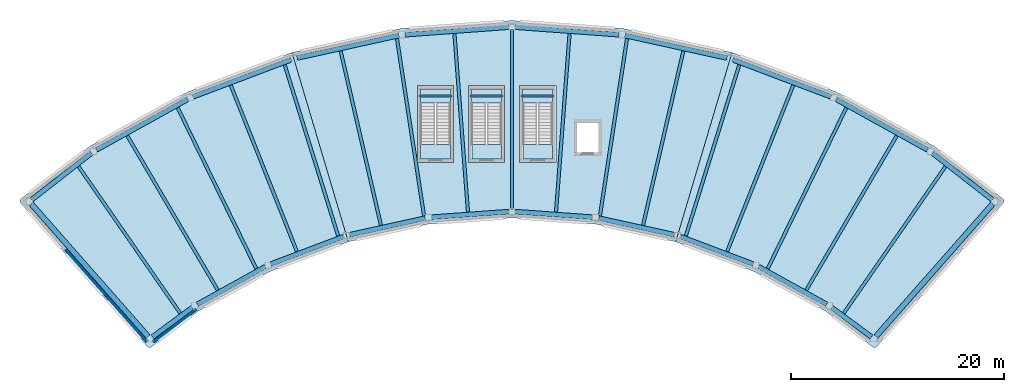
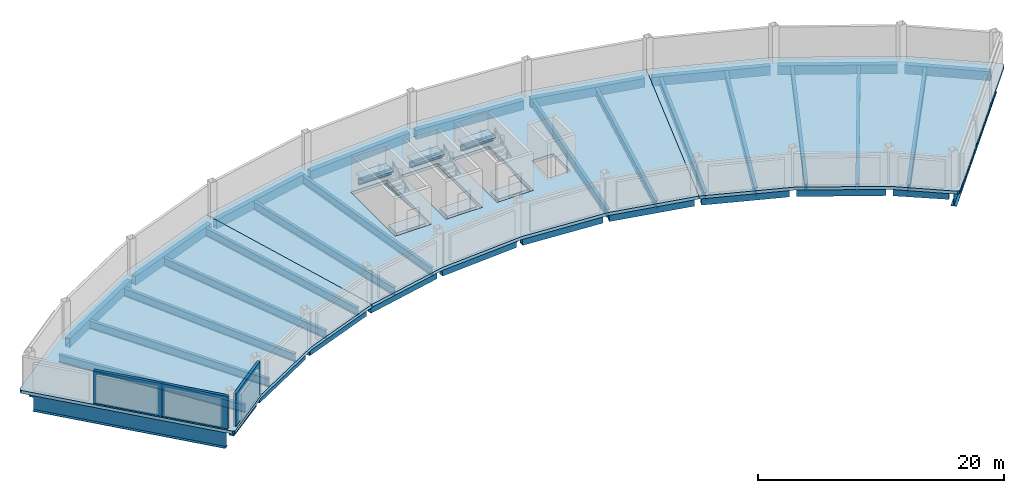
# One storey, part 3 of 5: 42 beams, 9 slabs, 3 walls, 3 elements without a shape of their own.
"""IFC4 building model written with IfcOpenShell, lengths in metres."""

from ifc_helpers import new_model, si_unit, direction, frame, frame_2d, origin, origin_2d, place, context, subcontext, project, spatial, polyline, rectangle, hollow_rectangle, i_section, outline, extrude, material, layer, layer_set, material_profile, profile_set, type_object, element, aggregate, save


model = new_model("IFC4")

# Units and contexts
model_context = context("Model", 3, precision=1e-05, world=origin(), true_north=direction((0.0, 1.0)))
body_context = subcontext(model_context, "Body", "Model", "MODEL_VIEW")
ifc_project = project(units=[si_unit("LENGTHUNIT", "METRE"), si_unit("AREAUNIT", "SQUARE_METRE"), si_unit("VOLUMEUNIT", "CUBIC_METRE"), si_unit("PLANEANGLEUNIT", "RADIAN"), si_unit("MASSUNIT", "GRAM", prefix="KILO")], contexts=[model_context])

# Site, building, storey
site_placement = place(None, origin())
site = spatial("IfcSite", under=ifc_project, at=site_placement, CompositionType="ELEMENT")
building_placement = place(site_placement, origin())
building = spatial("IfcBuilding", under=site, at=building_placement, Name="Tuul Gate Civic Tower", CompositionType="ELEMENT")
storey_placement = place(building_placement, frame((0.0, 0.0, 364.10009765625)))
storey = spatial("IfcBuildingStorey", under=building, at=storey_placement, Name="Crown tier 1 upper", CompositionType="ELEMENT", Elevation=364.10009765625)

# Beams
ifc_material_1 = material(Name="Steel S355", Category="steel")
ifc_material_profile_1 = material_profile(ifc_material_1, i_section(OverallWidth=0.199951171875, OverallDepth=0.5, WebThickness=0.010009765625, FlangeThickness=0.01611328125, at=origin_2d()), Name="PG500x200x10x16")
ifc_profile_set_1 = profile_set([ifc_material_profile_1], Name="Steel S355")
beam_type_1 = type_object("IfcBeamType", Name="STR-FLOOR BEAM-PG500x200x10x16", PredefinedType="BEAM", material=ifc_profile_set_1)
for number, where, z_axis, x_axis, name in (
    (1, (-6.550048828125, 5.324951171875, 1.5498046875), (1.0, 0.0, 0.0), (0.0, 1.0, 0.0), "Landing support beam"),
    (2, (-1.75, 5.324951171875, 1.5498046875), (1.0, 0.0, 0.0), (0.0, 1.0, 0.0), "Landing support beam"),
):
    element("IfcBeam", number, at=place(storey_placement, frame(where, z_axis=z_axis, x_axis=x_axis)), inside=storey, type_object=beam_type_1, Name=name, PredefinedType="BEAM", context=body_context, shape_type="SweptSolid", body=[
        extrude(i_section(OverallWidth=0.199951171875, OverallDepth=0.5, WebThickness=0.010009765625, FlangeThickness=0.01611328125, at=origin_2d()), origin(), (0.0, 0.0, 1.0), 3.10009765625),
    ])
beam_1_placement = place(storey_placement, frame((3.050048828125, 5.324951171875, 1.5498046875), z_axis=(1.0, 0.0, 0.0), x_axis=(0.0, 1.0, 0.0)))
element("IfcBeam", 3, at=beam_1_placement, inside=storey, type_object=beam_type_1, Name="Landing support beam", PredefinedType="BEAM", context=body_context, shape_type="SweptSolid", body=[
    extrude(i_section(OverallWidth=0.199951171875, OverallDepth=0.5, WebThickness=0.010009765625, FlangeThickness=0.01611328125, at=origin_2d()), origin(), (0.0, 0.0, 1.0), 3.099853515625),
])
ifc_material_2 = material(Name="Steel S355", Category="steel")
ifc_material_profile_2 = material_profile(ifc_material_2, i_section(OverallWidth=0.300048828125, OverallDepth=0.800048828125, WebThickness=0.013916015625, FlangeThickness=0.02490234375, at=origin_2d()), Name="PG800x300x14x25")
ifc_profile_set_2 = profile_set([ifc_material_profile_2], Name="Steel S355")
beam_type_2 = type_object("IfcBeamType", Name="STR-FLOOR BEAM-PG800x300x14x25", PredefinedType="BEAM", material=ifc_profile_set_2)
beam_2_placement = place(storey_placement, frame((33.369384765625, -15.084716796875, -0.7001953125), z_axis=(0.569618744549, 0.821909049627, 0.0), x_axis=(-0.821909049627, 0.569618744549, 0.0)))
element("IfcBeam", 4, at=beam_2_placement, inside=storey, type_object=beam_type_2, Name="Floor beam", PredefinedType="BEAM", context=body_context, shape_type="SweptSolid", body=[
    extrude(i_section(OverallWidth=0.300048828125, OverallDepth=0.800048828125, WebThickness=0.013916015625, FlangeThickness=0.02490234375, at=origin_2d()), origin(), (0.0, 0.0, 1.0), 16.768310546875),
])
beam_3_placement = place(storey_placement, frame((29.843994140625, -12.90771484375, -0.7001953125), z_axis=(0.505775799245, 0.862664964455, 0.0), x_axis=(-0.862664964455, 0.505775799245, 0.0)))
element("IfcBeam", 5, at=beam_3_placement, inside=storey, type_object=beam_type_2, Name="Floor beam", PredefinedType="BEAM", context=body_context, shape_type="SweptSolid", body=[
    extrude(i_section(OverallWidth=0.300048828125, OverallDepth=0.800048828125, WebThickness=0.013916015625, FlangeThickness=0.02490234375, at=origin_2d()), origin(), (0.0, 0.0, 1.0), 16.804443359375),
])
beam_4_placement = place(storey_placement, frame((26.22021484375, -10.89892578125, -0.7001953125), z_axis=(0.439038586046, 0.898468207542, 0.0), x_axis=(-0.898468207542, 0.439038586046, 0.0)))
element("IfcBeam", 6, at=beam_4_placement, inside=storey, type_object=beam_type_2, Name="Floor beam", PredefinedType="BEAM", context=body_context, shape_type="SweptSolid", body=[
    extrude(i_section(OverallWidth=0.300048828125, OverallDepth=0.800048828125, WebThickness=0.013916015625, FlangeThickness=0.02490234375, at=origin_2d()), origin(), (0.0, 0.0, 1.0), 16.822021484375),
])
beam_5_placement = place(storey_placement, frame((22.40576171875, -9.281494140625, -0.7001953125), z_axis=(0.369789252977, 0.929115659314, 0.0), x_axis=(-0.929115659314, 0.369789252977, 0.0)))
element("IfcBeam", 7, at=beam_5_placement, inside=storey, type_object=beam_type_2, Name="Floor beam", PredefinedType="BEAM", context=body_context, shape_type="SweptSolid", body=[
    extrude(i_section(OverallWidth=0.300048828125, OverallDepth=0.800048828125, WebThickness=0.013916015625, FlangeThickness=0.02490234375, at=origin_2d()), origin(), (0.0, 0.0, 1.0), 16.8017578125),
])
beam_6_placement = place(storey_placement, frame((18.529541015625, -7.815673828125, -0.7001953125), z_axis=(0.298410464889, 0.954437632559, 0.0), x_axis=(-0.954437632559, 0.298410464889, 0.0)))
element("IfcBeam", 8, at=beam_6_placement, inside=storey, type_object=beam_type_2, Name="Floor beam", PredefinedType="BEAM", context=body_context, shape_type="SweptSolid", body=[
    extrude(i_section(OverallWidth=0.300048828125, OverallDepth=0.800048828125, WebThickness=0.013916015625, FlangeThickness=0.02490234375, at=origin_2d()), origin(), (0.0, 0.0, 1.0), 16.828369140625),
])
beam_7_placement = place(storey_placement, frame((14.50732421875, -6.817626953125, -0.7001953125), z_axis=(0.22531584645, 0.974285773959, 0.0), x_axis=(-0.974285773959, 0.22531584645, 0.0)))
element("IfcBeam", 9, at=beam_7_placement, inside=storey, type_object=beam_type_2, Name="Floor beam", PredefinedType="BEAM", context=body_context, shape_type="SweptSolid", body=[
    extrude(i_section(OverallWidth=0.300048828125, OverallDepth=0.800048828125, WebThickness=0.013916015625, FlangeThickness=0.02490234375, at=origin_2d()), origin(), (0.0, 0.0, 1.0), 16.800537109375),
])
beam_8_placement = place(storey_placement, frame((10.458984375, -5.925537109375, -0.7001953125), z_axis=(0.150930336798, 0.988544401347, 0.0), x_axis=(-0.988544401347, 0.150930336798, 0.0)))
element("IfcBeam", 10, at=beam_8_placement, inside=storey, type_object=beam_type_2, Name="Floor beam", PredefinedType="BEAM", context=body_context, shape_type="SweptSolid", body=[
    extrude(i_section(OverallWidth=0.300048828125, OverallDepth=0.800048828125, WebThickness=0.013916015625, FlangeThickness=0.02490234375, at=origin_2d()), origin(), (0.0, 0.0, 1.0), 16.835693359375),
])
beam_9_placement = place(storey_placement, frame((6.32861328125, -5.57177734375, -0.7001953125), z_axis=(0.075669623835, 0.997132944009, 0.0), x_axis=(-0.997132944009, 0.075669623835, 0.0)))
element("IfcBeam", 11, at=beam_9_placement, inside=storey, type_object=beam_type_2, Name="Floor beam", PredefinedType="BEAM", context=body_context, shape_type="SweptSolid", body=[
    extrude(i_section(OverallWidth=0.300048828125, OverallDepth=0.800048828125, WebThickness=0.013916015625, FlangeThickness=0.02490234375, at=origin_2d()), origin(), (0.0, 0.0, 1.0), 16.7998046875),
])
beam_10_placement = place(storey_placement, frame((2.19189453125, -5.2724609375, -0.7001953125), z_axis=(0.0, 1.0, 0.0), x_axis=(-1.0, 0.0, 0.0)))
element("IfcBeam", 12, at=beam_10_placement, inside=storey, type_object=beam_type_2, Name="Floor beam", PredefinedType="BEAM", context=body_context, shape_type="SweptSolid", body=[
    extrude(i_section(OverallWidth=0.300048828125, OverallDepth=0.800048828125, WebThickness=0.013916015625, FlangeThickness=0.02490234375, at=origin_2d()), origin(), (0.0, 0.0, 1.0), 16.84375),
])
beam_11_placement = place(storey_placement, frame((-1.944580078125, -5.57177734375, -0.7001953125), z_axis=(-0.075684072889, 0.997131847406, 0.0), x_axis=(-0.997131847406, -0.075684072889, 0.0)))
element("IfcBeam", 13, at=beam_11_placement, inside=storey, type_object=beam_type_2, Name="Floor beam", PredefinedType="BEAM", context=body_context, shape_type="SweptSolid", body=[
    extrude(i_section(OverallWidth=0.300048828125, OverallDepth=0.800048828125, WebThickness=0.013916015625, FlangeThickness=0.02490234375, at=origin_2d()), origin(), (0.0, 0.0, 1.0), 16.7998046875),
])
beam_12_placement = place(storey_placement, frame((-6.074951171875, -5.925537109375, -0.7001953125), z_axis=(-0.150930336798, 0.988544401347, 0.0), x_axis=(-0.988544401347, -0.150930336798, 0.0)))
element("IfcBeam", 14, at=beam_12_placement, inside=storey, type_object=beam_type_2, Name="Floor beam", PredefinedType="BEAM", context=body_context, shape_type="SweptSolid", body=[
    extrude(i_section(OverallWidth=0.300048828125, OverallDepth=0.800048828125, WebThickness=0.013916015625, FlangeThickness=0.02490234375, at=origin_2d()), origin(), (0.0, 0.0, 1.0), 16.835693359375),
])
beam_13_placement = place(storey_placement, frame((-10.12353515625, -6.817626953125, -0.7001953125), z_axis=(-0.225302052304, 0.974288963926, 0.0), x_axis=(-0.974288963926, -0.225302052304, 0.0)))
element("IfcBeam", 15, at=beam_13_placement, inside=storey, type_object=beam_type_2, Name="Floor beam", PredefinedType="BEAM", context=body_context, shape_type="SweptSolid", body=[
    extrude(i_section(OverallWidth=0.300048828125, OverallDepth=0.800048828125, WebThickness=0.013916015625, FlangeThickness=0.02490234375, at=origin_2d()), origin(), (0.0, 0.0, 1.0), 16.80029296875),
])
beam_14_placement = place(storey_placement, frame((-14.1455078125, -7.815673828125, -0.7001953125), z_axis=(-0.298410464889, 0.954437632559, 0.0), x_axis=(-0.954437632559, -0.298410464889, 0.0)))
element("IfcBeam", 16, at=beam_14_placement, inside=storey, type_object=beam_type_2, Name="Floor beam", PredefinedType="BEAM", context=body_context, shape_type="SweptSolid", body=[
    extrude(i_section(OverallWidth=0.300048828125, OverallDepth=0.800048828125, WebThickness=0.013916015625, FlangeThickness=0.02490234375, at=origin_2d()), origin(), (0.0, 0.0, 1.0), 16.828369140625),
])
beam_15_placement = place(storey_placement, frame((-18.02197265625, -9.281494140625, -0.7001953125), z_axis=(-0.36977670925, 0.929120651636, 0.0), x_axis=(-0.929120651636, -0.36977670925, 0.0)))
element("IfcBeam", 17, at=beam_15_placement, inside=storey, type_object=beam_type_2, Name="Floor beam", PredefinedType="BEAM", context=body_context, shape_type="SweptSolid", body=[
    extrude(i_section(OverallWidth=0.300048828125, OverallDepth=0.800048828125, WebThickness=0.013916015625, FlangeThickness=0.02490234375, at=origin_2d()), origin(), (0.0, 0.0, 1.0), 16.8017578125),
])
beam_16_placement = place(storey_placement, frame((-21.836181640625, -10.89892578125, -0.7001953125), z_axis=(-0.439038586046, 0.898468207542, 0.0), x_axis=(-0.898468207542, -0.439038586046, 0.0)))
element("IfcBeam", 18, at=beam_16_placement, inside=storey, type_object=beam_type_2, Name="Floor beam", PredefinedType="BEAM", context=body_context, shape_type="SweptSolid", body=[
    extrude(i_section(OverallWidth=0.300048828125, OverallDepth=0.800048828125, WebThickness=0.013916015625, FlangeThickness=0.02490234375, at=origin_2d()), origin(), (0.0, 0.0, 1.0), 16.822021484375),
])
beam_17_placement = place(storey_placement, frame((-25.4599609375, -12.90771484375, -0.7001953125), z_axis=(-0.505775799245, 0.862664964455, 0.0), x_axis=(-0.862664964455, -0.505775799245, 0.0)))
element("IfcBeam", 19, at=beam_17_placement, inside=storey, type_object=beam_type_2, Name="Floor beam", PredefinedType="BEAM", context=body_context, shape_type="SweptSolid", body=[
    extrude(i_section(OverallWidth=0.300048828125, OverallDepth=0.800048828125, WebThickness=0.013916015625, FlangeThickness=0.02490234375, at=origin_2d()), origin(), (0.0, 0.0, 1.0), 16.804443359375),
])
beam_18_placement = place(storey_placement, frame((-28.9853515625, -15.084716796875, -0.7001953125), z_axis=(-0.569618744549, 0.821909049627, 0.0), x_axis=(-0.821909049627, -0.569618744549, 0.0)))
element("IfcBeam", 20, at=beam_18_placement, inside=storey, type_object=beam_type_2, Name="Floor beam", PredefinedType="BEAM", context=body_context, shape_type="SweptSolid", body=[
    extrude(i_section(OverallWidth=0.300048828125, OverallDepth=0.800048828125, WebThickness=0.013916015625, FlangeThickness=0.02490234375, at=origin_2d()), origin(), (0.0, 0.0, 1.0), 16.768310546875),
])
ifc_material_3 = material(Name="Steel S355", Category="steel")
ifc_material_profile_3 = material_profile(ifc_material_3, i_section(OverallWidth=0.5, OverallDepth=1.89990234375, WebThickness=0.02490234375, FlangeThickness=0.0400390625, at=origin_2d()), Name="PG1900x500x25x40")
ifc_profile_set_3 = profile_set([ifc_material_profile_3], Name="Steel S355")
beam_type_3 = type_object("IfcBeamType", Name="STR-RING BEAM-PG1900x500x25x40", PredefinedType="BEAM", material=ifc_profile_set_3)
beam_19_placement = place(storey_placement, frame((-42.966796875, -4.826171875, -1.25), z_axis=(0.661021455779, -0.750367000207, 0.0), x_axis=(0.750367000207, 0.661021455779, 0.0)))
element("IfcBeam", 21, at=beam_19_placement, inside=storey, type_object=beam_type_3, Name="Spandrel beam", PredefinedType="BEAM", context=body_context, shape_type="SweptSolid", body=[
    extrude(i_section(OverallWidth=0.5, OverallDepth=1.89990234375, WebThickness=0.02490234375, FlangeThickness=0.0400390625, at=origin_2d()), origin(), (0.0, 0.0, 1.0), 16.5673828125),
])
beam_20_placement = place(storey_placement, frame((36.3994140625, -17.2578125, -1.25), z_axis=(0.661013158435, 0.750374309512, 0.0), x_axis=(-0.750374309512, 0.661013158435, 0.0)))
element("IfcBeam", 22, at=beam_20_placement, inside=storey, type_object=beam_type_3, Name="Spandrel beam", PredefinedType="BEAM", context=body_context, shape_type="SweptSolid", body=[
    extrude(i_section(OverallWidth=0.5, OverallDepth=1.89990234375, WebThickness=0.02490234375, FlangeThickness=0.0400390625, at=origin_2d()), origin(), (0.0, 0.0, 1.0), 16.567138671875),
])
ifc_material_4 = material(Name="Steel S355", Category="steel")
ifc_material_profile_4 = material_profile(ifc_material_4, hollow_rectangle(XDim=0.449951171875, YDim=0.89990234375, WallThickness=0.02490234375, at=origin_2d()), Name="BOX900x450x25")
ifc_profile_set_4 = profile_set([ifc_material_profile_4], Name="Steel S355")
beam_type_4 = type_object("IfcBeamType", Name="STR-SPANDREL BEAM-BOX900x450x25", PredefinedType="BEAM", material=ifc_profile_set_4)
beam_21_placement = place(storey_placement, frame((47.3125, -4.416259765625, -0.75), z_axis=(-0.788041106287, 0.615622623692, 0.0), x_axis=(-0.615622623692, -0.788041106287, 0.0)))
element("IfcBeam", 23, at=beam_21_placement, inside=storey, type_object=beam_type_4, Name="Spandrel beam", PredefinedType="BEAM", context=body_context, shape_type="SweptSolid", body=[
    extrude(hollow_rectangle(XDim=0.449951171875, YDim=0.89990234375, WallThickness=0.02490234375, at=origin_2d()), origin(), (0.0, 0.0, 1.0), 7.078369140625),
])
for number, where, z_axis, x_axis, name in (
    (24, (41.235595703125, 0.271484375, -0.75), (-0.874616938839, 0.484814614359, 0.0), (-0.484814614359, -0.874616938839, 0.0), "Spandrel beam"),
    (25, (32.13232421875, 5.26806640625, -0.75), (-0.935355859844, 0.353708093567, 0.0), (-0.353708093567, -0.935355859844, 0.0), "Spandrel beam"),
):
    element("IfcBeam", number, at=place(storey_placement, frame(where, z_axis=z_axis, x_axis=x_axis)), inside=storey, type_object=beam_type_4, Name=name, PredefinedType="BEAM", context=body_context, shape_type="SweptSolid", body=[
        extrude(hollow_rectangle(XDim=0.449951171875, YDim=0.89990234375, WallThickness=0.02490234375, at=origin_2d()), origin(), (0.0, 0.0, 1.0), 9.78759765625),
    ])
beam_22_placement = place(storey_placement, frame((22.404052734375, 8.900634765625, -0.75), z_axis=(-0.976565264736, 0.215221475952, 0.0), x_axis=(-0.215221475952, -0.976565264736, 0.0)))
element("IfcBeam", 26, at=beam_22_placement, inside=storey, type_object=beam_type_4, Name="Spandrel beam", PredefinedType="BEAM", context=body_context, shape_type="SweptSolid", body=[
    extrude(hollow_rectangle(XDim=0.449951171875, YDim=0.89990234375, WallThickness=0.02490234375, at=origin_2d()), origin(), (0.0, 0.0, 1.0), 9.78857421875),
])
beam_23_placement = place(storey_placement, frame((12.252685546875, 11.09375, -0.75), z_axis=(-0.997390760499, 0.072191903081, 0.0), x_axis=(-0.072191903081, -0.997390760499, 0.0)))
element("IfcBeam", 27, at=beam_23_placement, inside=storey, type_object=beam_type_4, Name="Spandrel beam", PredefinedType="BEAM", context=body_context, shape_type="SweptSolid", body=[
    extrude(hollow_rectangle(XDim=0.449951171875, YDim=0.89990234375, WallThickness=0.02490234375, at=origin_2d()), origin(), (0.0, 0.0, 1.0), 9.787109375),
])
beam_24_placement = place(storey_placement, frame((1.892822265625, 11.80029296875, -0.75), z_axis=(-0.997390890502, -0.072190106971, 0.0), x_axis=(0.072190106971, -0.997390890502, 0.0)))
element("IfcBeam", 28, at=beam_24_placement, inside=storey, type_object=beam_type_4, Name="Spandrel beam", PredefinedType="BEAM", context=body_context, shape_type="SweptSolid", body=[
    extrude(hollow_rectangle(XDim=0.449951171875, YDim=0.89990234375, WallThickness=0.02490234375, at=origin_2d()), origin(), (0.0, 0.0, 1.0), 9.787353515625),
])
beam_25_placement = place(storey_placement, frame((-8.4609375, 11.00732421875, -0.75), z_axis=(-0.976565264736, -0.215221475952, 0.0), x_axis=(0.215221475952, -0.976565264736, 0.0)))
element("IfcBeam", 29, at=beam_25_placement, inside=storey, type_object=beam_type_4, Name="Spandrel beam", PredefinedType="BEAM", context=body_context, shape_type="SweptSolid", body=[
    extrude(hollow_rectangle(XDim=0.449951171875, YDim=0.89990234375, WallThickness=0.02490234375, at=origin_2d()), origin(), (0.0, 0.0, 1.0), 9.78857421875),
])
beam_26_placement = place(storey_placement, frame((-18.593505859375, 8.72998046875, -0.75), z_axis=(-0.935355859844, -0.353708093567, 0.0), x_axis=(0.353708093567, -0.935355859844, 0.0)))
element("IfcBeam", 30, at=beam_26_placement, inside=storey, type_object=beam_type_4, Name="Spandrel beam", PredefinedType="BEAM", context=body_context, shape_type="SweptSolid", body=[
    extrude(hollow_rectangle(XDim=0.449951171875, YDim=0.89990234375, WallThickness=0.02490234375, at=origin_2d()), origin(), (0.0, 0.0, 1.0), 9.78759765625),
])
beam_27_placement = place(storey_placement, frame((-28.29150390625, 5.0166015625, -0.75), z_axis=(-0.874611075643, -0.484825191552, 0.0), x_axis=(0.484825191552, -0.874611075643, 0.0)))
element("IfcBeam", 31, at=beam_27_placement, inside=storey, type_object=beam_type_4, Name="Spandrel beam", PredefinedType="BEAM", context=body_context, shape_type="SweptSolid", body=[
    extrude(hollow_rectangle(XDim=0.449951171875, YDim=0.89990234375, WallThickness=0.02490234375, at=origin_2d()), origin(), (0.0, 0.0, 1.0), 9.787353515625),
])
beam_28_placement = place(storey_placement, frame((-37.350341796875, -0.05859375, -0.75), z_axis=(-0.788041106287, -0.615622623692, 0.0), x_axis=(0.615622623692, -0.788041106287, 0.0)))
element("IfcBeam", 32, at=beam_28_placement, inside=storey, type_object=beam_type_4, Name="Spandrel beam", PredefinedType="BEAM", context=body_context, shape_type="SweptSolid", body=[
    extrude(hollow_rectangle(XDim=0.449951171875, YDim=0.89990234375, WallThickness=0.02490234375, at=origin_2d()), origin(), (0.0, 0.0, 1.0), 7.078369140625),
])
beam_29_placement = place(storey_placement, frame((-31.575439453125, -17.304931640625, -0.75), z_axis=(0.804895743911, 0.593416246351, 0.0), x_axis=(-0.593416246351, 0.804895743911, 0.0)))
element("IfcBeam", 33, at=beam_29_placement, inside=storey, type_object=beam_type_4, Name="Spandrel beam", PredefinedType="BEAM", context=body_context, shape_type="SweptSolid", body=[
    extrude(hollow_rectangle(XDim=0.449951171875, YDim=0.89990234375, WallThickness=0.02490234375, at=origin_2d()), origin(), (0.0, 0.0, 1.0), 4.600341796875),
])
beam_30_placement = place(storey_placement, frame((-27.36865234375, -14.25146484375, -0.75), z_axis=(0.874613981539, 0.484819949359, 0.0), x_axis=(-0.484819949359, 0.874613981539, 0.0)))
element("IfcBeam", 34, at=beam_30_placement, inside=storey, type_object=beam_type_4, Name="Spandrel beam", PredefinedType="BEAM", context=body_context, shape_type="SweptSolid", body=[
    extrude(hollow_rectangle(XDim=0.449951171875, YDim=0.89990234375, WallThickness=0.02490234375, at=origin_2d()), origin(), (0.0, 0.0, 1.0), 7.281005859375),
])
for number, where, z_axis, x_axis, name in (
    (35, (-20.457275390625, -10.469970703125, -0.75), (0.935337536213, 0.353756545312, 0.0), (-0.353756545312, 0.935337536213, 0.0), "Spandrel beam"),
    (36, (-13.072998046875, -7.723388671875, -0.75), (0.976573634965, 0.215183492608, 0.0), (-0.215183492608, 0.976573634965, 0.0), "Spandrel beam"),
    (37, (-5.369873046875, -6.0703125, -0.75), (0.997391202033, 0.072185802675, 0.0), (-0.072185802675, 0.997391202033, 0.0), "Spandrel beam"),
):
    element("IfcBeam", number, at=place(storey_placement, frame(where, z_axis=z_axis, x_axis=x_axis)), inside=storey, type_object=beam_type_4, Name=name, PredefinedType="BEAM", context=body_context, shape_type="SweptSolid", body=[
        extrude(hollow_rectangle(XDim=0.449951171875, YDim=0.89990234375, WallThickness=0.02490234375, at=origin_2d()), origin(), (0.0, 0.0, 1.0), 7.28173828125),
    ])
beam_31_placement = place(storey_placement, frame((2.4912109375, -5.544677734375, -0.75), z_axis=(0.997391027316, -0.072188216688, 0.0), x_axis=(0.072188216688, 0.997391027316, 0.0)))
element("IfcBeam", 38, at=beam_31_placement, inside=storey, type_object=beam_type_4, Name="Spandrel beam", PredefinedType="BEAM", context=body_context, shape_type="SweptSolid", body=[
    extrude(hollow_rectangle(XDim=0.449951171875, YDim=0.89990234375, WallThickness=0.02490234375, at=origin_2d()), origin(), (0.0, 0.0, 1.0), 7.281494140625),
])
for number, where, z_axis, x_axis, name in (
    (39, (10.345947265625, -6.156494140625, -0.75), (0.976573634965, -0.215183492608, 0.0), (0.215183492608, 0.976573634965, 0.0), "Spandrel beam"),
    (40, (18.030517578125, -7.89404296875, -0.75), (0.935337536213, -0.353756545312, 0.0), (0.353756545312, 0.935337536213, 0.0), "Spandrel beam"),
):
    element("IfcBeam", number, at=place(storey_placement, frame(where, z_axis=z_axis, x_axis=x_axis)), inside=storey, type_object=beam_type_4, Name=name, PredefinedType="BEAM", context=body_context, shape_type="SweptSolid", body=[
        extrude(hollow_rectangle(XDim=0.449951171875, YDim=0.89990234375, WallThickness=0.02490234375, at=origin_2d()), origin(), (0.0, 0.0, 1.0), 7.28173828125),
    ])
beam_32_placement = place(storey_placement, frame((25.38427734375, -10.721435546875, -0.75), z_axis=(0.874621862589, -0.484805731692, 0.0), x_axis=(0.484805731692, 0.874621862589, 0.0)))
element("IfcBeam", 41, at=beam_32_placement, inside=storey, type_object=beam_type_4, Name="Spandrel beam", PredefinedType="BEAM", context=body_context, shape_type="SweptSolid", body=[
    extrude(hollow_rectangle(XDim=0.449951171875, YDim=0.89990234375, WallThickness=0.02490234375, at=origin_2d()), origin(), (0.0, 0.0, 1.0), 7.28125),
])
beam_33_placement = place(storey_placement, frame((32.256591796875, -14.574951171875, -0.75), z_axis=(0.804895743911, -0.593416246351, 0.0), x_axis=(0.593416246351, 0.804895743911, 0.0)))
element("IfcBeam", 42, at=beam_33_placement, inside=storey, type_object=beam_type_4, Name="Spandrel beam", PredefinedType="BEAM", context=body_context, shape_type="SweptSolid", body=[
    extrude(hollow_rectangle(XDim=0.449951171875, YDim=0.89990234375, WallThickness=0.02490234375, at=origin_2d()), origin(), (0.0, 0.0, 1.0), 4.600341796875),
])

# Stair, slab
ifc_material_5 = material(Name="Concrete C40/50", Category="concrete")
stair_type = type_object("IfcStairType", Name="Exit stair", PredefinedType="HALF_TURN_STAIR", material=ifc_material_5)
stair_1_placement = place(storey_placement, origin())
stair_1 = element("IfcStair", 43, at=stair_1_placement, inside=storey, type_object=stair_type, Name="Crown tier 1 upper ST-5", PredefinedType="HALF_TURN_STAIR")
ifc_material_6 = material(Name="Concrete C40/50", Category="concrete")
ifc_layer_1 = layer(ifc_material_6, 0.199951171875)
ifc_layer_set_1 = layer_set([ifc_layer_1], Name="Concrete C40/50")
slab_type_1 = type_object("IfcSlabType", Name="Exit stair landing", PredefinedType="LANDING", material=ifc_layer_set_1)
slab_1_placement = place(storey_placement, frame((0.0, 0.0, 1.7998046875)))
slab_1 = element("IfcSlab", 44, at=slab_1_placement, type_object=slab_type_1, Name="ST-5 landing 1", PredefinedType="LANDING", context=body_context, shape_type="SweptSolid", body=[
    extrude(outline(polyline([(-3.59912109375, 4.649169921875), (-6.40087890625, 4.649169921875), (-6.40087890625, 6.000732421875), (-3.59912109375, 6.000732421875), (-3.59912109375, 4.649169921875)])), origin(), (0.0, 0.0, 1.0), 0.2001953125),
])
aggregate(stair_1, [slab_1])

stair_2_placement = place(storey_placement, origin())
stair_2 = element("IfcStair", 45, at=stair_2_placement, inside=storey, type_object=stair_type, Name="Crown tier 1 upper ST-6", PredefinedType="HALF_TURN_STAIR")
slab_2_placement = place(storey_placement, frame((0.0, 0.0, 1.7998046875)))
slab_2 = element("IfcSlab", 46, at=slab_2_placement, type_object=slab_type_1, Name="ST-6 landing 1", PredefinedType="LANDING", context=body_context, shape_type="SweptSolid", body=[
    extrude(outline(polyline([(1.20068359375, 4.649169921875), (-1.600830078125, 4.649169921875), (-1.600830078125, 6.000732421875), (1.20068359375, 6.000732421875), (1.20068359375, 4.649169921875)])), origin(), (0.0, 0.0, 1.0), 0.2001953125),
])
aggregate(stair_2, [slab_2])

stair_3_placement = place(storey_placement, origin())
stair_3 = element("IfcStair", 47, at=stair_3_placement, inside=storey, type_object=stair_type, Name="Crown tier 1 upper ST-7", PredefinedType="HALF_TURN_STAIR")
slab_3_placement = place(storey_placement, frame((0.0, 0.0, 1.7998046875)))
slab_3 = element("IfcSlab", 48, at=slab_3_placement, type_object=slab_type_1, Name="ST-7 landing 1", PredefinedType="LANDING", context=body_context, shape_type="SweptSolid", body=[
    extrude(outline(polyline([(6.000732421875, 4.649169921875), (3.19921875, 4.649169921875), (3.19921875, 6.000732421875), (6.000732421875, 6.000732421875), (6.000732421875, 4.649169921875)])), origin(), (0.0, 0.0, 1.0), 0.2001953125),
])
aggregate(stair_3, [slab_3])

# Slabs
ifc_material_7 = material(Name="Concrete C35/45", Category="concrete")
ifc_layer_2 = layer(ifc_material_7, 0.300048828125)
ifc_layer_set_2 = layer_set([ifc_layer_2], Name="Concrete C35/45")
slab_type_2 = type_object("IfcSlabType", Name="STR-FLOOR-SLAB-300", PredefinedType="FLOOR", material=ifc_layer_set_2)
slab_4_placement = place(storey_placement, frame((0.0, 0.0, -0.300048828125)))
element("IfcSlab", 49, at=slab_4_placement, inside=storey, type_object=slab_type_2, Name="Crown tier 1 upper/slab/W", PredefinedType="FLOOR", context=body_context, shape_type="SweptSolid", body=[
    extrude(outline(polyline([(-20.485107421875, -11.1220703125), (-13.194091796875, -8.364990234375), (-18.48388671875, 9.4130859375), (-28.281982421875, 5.7080078125), (-37.443115234375, 0.6298828125), (-43.925048828125, -4.304931640625), (-44.0048828125, -4.39794921875), (-44.0419921875, -4.514892578125), (-44.028076171875, -4.635986328125), (-43.968017578125, -4.742919921875), (-32.093017578125, -18.198974609375), (-32.00390625, -18.26708984375), (-31.89697265625, -18.299072265625), (-31.785888671875, -18.2890625), (-31.68603515625, -18.239013671875), (-27.302001953125, -14.90087890625), (-20.485107421875, -11.1220703125)])), origin(), (0.0, 0.0, 1.0), 0.300048828125),
])
slab_5_placement = place(storey_placement, frame((0.0, 0.0, -0.300048828125)))
element("IfcSlab", 50, at=slab_5_placement, inside=storey, type_object=slab_type_2, Name="Crown tier 1 upper/slab/M", PredefinedType="FLOOR", context=body_context, shape_type="SweptSolid", body=[
    extrude(outline(polyline([(17.577880859375, -8.364990234375), (22.867919921875, 9.4130859375), (12.638916015625, 11.6669921875), (2.19189453125, 12.424072265625), (-8.2548828125, 11.6669921875), (-18.48388671875, 9.4130859375), (-13.194091796875, -8.364990234375), (-5.58203125, -6.68798828125), (2.19189453125, -6.1240234375), (9.966064453125, -6.68798828125), (17.577880859375, -8.364990234375)]), holes=[polyline([(10.300048828125, 0.0), (8.300048828125, 0.0), (8.300048828125, 2.800048828125), (10.300048828125, 2.800048828125), (10.300048828125, 0.0)]), polyline([(-6.7099609375, -0.909912109375), (-6.7099609375, 6.31005859375), (-3.2900390625, 6.31005859375), (-3.2900390625, -0.909912109375), (-6.7099609375, -0.909912109375)]), polyline([(-1.909912109375, -0.909912109375), (-1.909912109375, 6.31005859375), (1.510009765625, 6.31005859375), (1.510009765625, -0.909912109375), (-1.909912109375, -0.909912109375)]), polyline([(2.889892578125, -0.909912109375), (2.889892578125, 6.31005859375), (6.31005859375, 6.31005859375), (6.31005859375, -0.909912109375), (2.889892578125, -0.909912109375)])]), origin(), (0.0, 0.0, 1.0), 0.300048828125),
])
slab_6_placement = place(storey_placement, frame((0.0, 0.0, -0.300048828125)))
element("IfcSlab", 51, at=slab_6_placement, inside=storey, type_object=slab_type_2, Name="Crown tier 1 upper/slab/M2", PredefinedType="FLOOR", context=body_context, shape_type="SweptSolid", body=[
    extrude(outline(polyline([(-3.610107421875, 0.75), (-6.389892578125, 0.75), (-6.389892578125, -0.590087890625), (-3.610107421875, -0.590087890625), (-3.610107421875, 0.75)])), origin(), (0.0, 0.0, 1.0), 0.300048828125),
])
slab_7_placement = place(storey_placement, frame((0.0, 0.0, -0.300048828125)))
element("IfcSlab", 52, at=slab_7_placement, inside=storey, type_object=slab_type_2, Name="Crown tier 1 upper/slab/M3", PredefinedType="FLOOR", context=body_context, shape_type="SweptSolid", body=[
    extrude(outline(polyline([(1.18994140625, 0.75), (-1.590087890625, 0.75), (-1.590087890625, -0.590087890625), (1.18994140625, -0.590087890625), (1.18994140625, 0.75)])), origin(), (0.0, 0.0, 1.0), 0.300048828125),
])
slab_8_placement = place(storey_placement, frame((0.0, 0.0, -0.300048828125)))
element("IfcSlab", 53, at=slab_8_placement, inside=storey, type_object=slab_type_2, Name="Crown tier 1 upper/slab/M4", PredefinedType="FLOOR", context=body_context, shape_type="SweptSolid", body=[
    extrude(outline(polyline([(3.2099609375, 0.75), (3.2099609375, -0.590087890625), (5.989990234375, -0.590087890625), (5.989990234375, 0.75), (3.2099609375, 0.75)])), origin(), (0.0, 0.0, 1.0), 0.300048828125),
])
slab_9_placement = place(storey_placement, frame((0.0, 0.0, -0.300048828125)))
element("IfcSlab", 54, at=slab_9_placement, inside=storey, type_object=slab_type_2, Name="Crown tier 1 upper/slab/E", PredefinedType="FLOOR", context=body_context, shape_type="SweptSolid", body=[
    extrude(outline(polyline([(36.387939453125, -18.26708984375), (36.47705078125, -18.198974609375), (48.35205078125, -4.742919921875), (48.412109375, -4.635986328125), (48.426025390625, -4.514892578125), (48.388916015625, -4.39794921875), (48.30908203125, -4.304931640625), (41.826904296875, 0.6298828125), (32.666015625, 5.7080078125), (22.867919921875, 9.4130859375), (17.577880859375, -8.364990234375), (24.868896484375, -11.1220703125), (31.68603515625, -14.90087890625), (36.070068359375, -18.239013671875), (36.169921875, -18.2890625), (36.281005859375, -18.299072265625), (36.387939453125, -18.26708984375)])), origin(), (0.0, 0.0, 1.0), 0.300048828125),
])

# Walls
ifc_material_8 = material(Name="Precast concrete C40/50", Category="concrete")
ifc_layer_3 = layer(ifc_material_8, 0.25)
ifc_layer_set_3 = layer_set([ifc_layer_3], Name="Precast concrete C40/50")
wall_type = type_object("IfcWallType", Name="External wall", PredefinedType="STANDARD", material=ifc_layer_set_3)
wall_1_placement = place(storey_placement, frame((-39.76318359375, -9.091552734375, 0.0), z_axis=(0.0, 0.0, 1.0), x_axis=(0.661651837628, -0.749811206747, 0.0)))
element("IfcWall", 55, at=wall_1_placement, inside=storey, type_object=wall_type, Name="External wall", PredefinedType="STANDARD", context=body_context, shape_type="SweptSolid", body=[
    extrude(rectangle(XDim=5.882080078125, YDim=0.25, at=frame_2d((2.94091796875, 0.0))), origin(), (0.0, 0.0, 1.0), 3.25),
])
wall_2_placement = place(storey_placement, frame((-35.871337890625, -13.501953125, 0.0), z_axis=(0.0, 0.0, 1.0), x_axis=(0.661694213402, -0.749773811193, 0.0)))
element("IfcWall", 56, at=wall_2_placement, inside=storey, type_object=wall_type, Name="External wall", PredefinedType="STANDARD", context=body_context, shape_type="SweptSolid", body=[
    extrude(rectangle(XDim=5.673828125, YDim=0.25, at=frame_2d((2.8369140625, 0.0))), origin(), (0.0, 0.0, 1.0), 3.25),
])
wall_3_placement = place(storey_placement, frame((-31.51708984375, -17.764404296875, 0.0), z_axis=(0.0, 0.0, 1.0), x_axis=(0.795675132007, 0.605723603886, 0.0)))
element("IfcWall", 57, at=wall_3_placement, inside=storey, type_object=wall_type, Name="External wall", PredefinedType="STANDARD", context=body_context, shape_type="SweptSolid", body=[
    extrude(rectangle(XDim=5.06396484375, YDim=0.25, at=frame_2d((2.531982421875, 0.0))), origin(), (0.0, 0.0, 1.0), 3.25),
])

save(model, "model.ifc")
